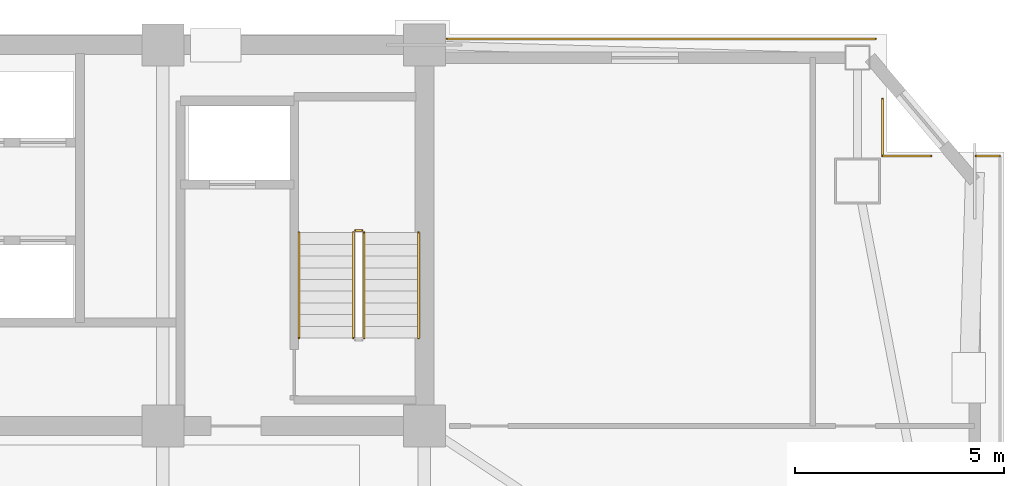
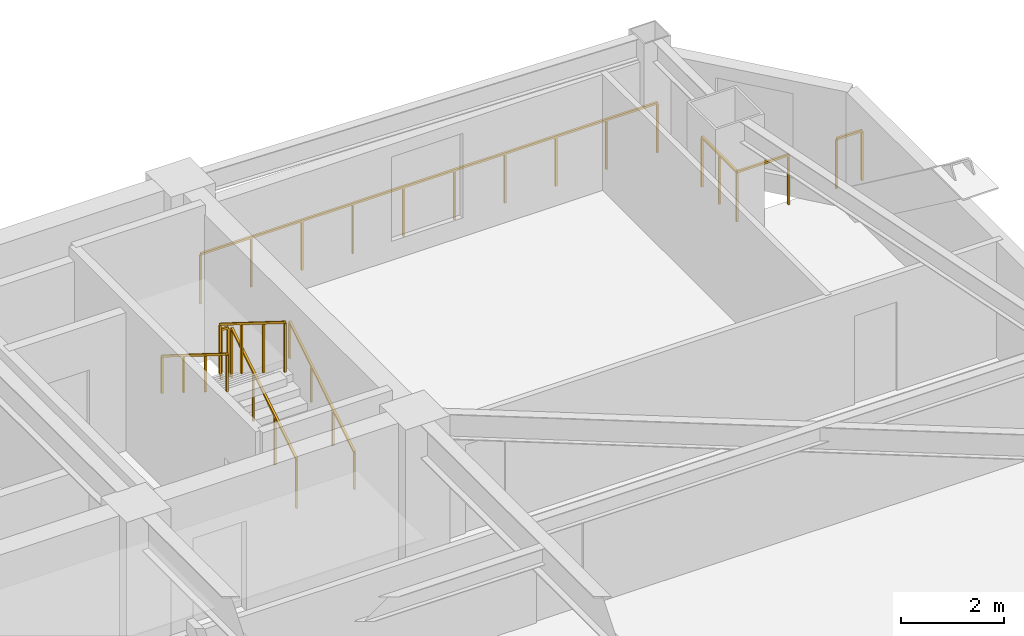
# One storey, part 17 of 17: 9 railings.
"""IFC4 building model written with IfcOpenShell, lengths in metres."""

from ifc_helpers import new_model, si_unit, direction, frame, origin, origin_2d, place, context, subcontext, project, spatial, rectangle, extrude, material, type_object, element, save


model = new_model("IFC4")

# Units and contexts
model_context = context("Model", 3, precision=1e-05, world=origin(), true_north=direction((0.0, 1.0)))
body_context = subcontext(model_context, "Body", "Model", "MODEL_VIEW")
ifc_project = project(units=[si_unit("LENGTHUNIT", "METRE"), si_unit("AREAUNIT", "SQUARE_METRE"), si_unit("VOLUMEUNIT", "CUBIC_METRE"), si_unit("PLANEANGLEUNIT", "RADIAN"), si_unit("MASSUNIT", "GRAM", prefix="KILO")], contexts=[model_context])

# Site, building, storey
site_placement = place(None, origin())
site = spatial("IfcSite", under=ifc_project, at=site_placement, CompositionType="ELEMENT")
building_placement = place(site_placement, origin())
building = spatial("IfcBuilding", under=site, at=building_placement, Name="Giltprow Tower", CompositionType="ELEMENT")
storey_placement = place(building_placement, frame((0.0, 0.0, 202.699951171875)))
storey = spatial("IfcBuildingStorey", under=building, at=storey_placement, Name="L51", CompositionType="ELEMENT", Elevation=202.699951171875)

# Railings
ifc_material = material(Name="Anodized bronze", Category="metal")
railing_type_1 = type_object("IfcRailingType", Name="RAIL-BALC-GUARD-1200", PredefinedType="BALUSTRADE", material=ifc_material)
railing_1_placement = place(storey_placement, frame((51.0849609375, 46.699951171875, 0.0)))
element("IfcRailing", 1, at=railing_1_placement, inside=storey, type_object=railing_type_1, Name="L51 Corner Apron Edge Balustrade 18", PredefinedType="BALUSTRADE", context=body_context, shape_type="SweptSolid", body=[
    extrude(rectangle(XDim=0.048095703125, YDim=0.048095703125, at=origin_2d()), frame((0.0, 0.0, 1.17578125), z_axis=(1.0, 0.0, 0.0), x_axis=(0.0, 1.0, 0.0)), (0.0, 0.0, 1.0), 10.241943359375),
    extrude(rectangle(XDim=0.0419921875, YDim=0.0419921875, at=origin_2d()), origin(), (0.0, 0.0, 1.0), 1.15185546875),
    extrude(rectangle(XDim=0.0419921875, YDim=0.0419921875, at=origin_2d()), frame((1.137939453125, 0.0, 0.0)), (0.0, 0.0, 1.0), 1.15185546875),
    extrude(rectangle(XDim=0.0419921875, YDim=0.0419921875, at=origin_2d()), frame((2.27587890625, 0.0, 0.0)), (0.0, 0.0, 1.0), 1.15185546875),
    extrude(rectangle(XDim=0.0419921875, YDim=0.0419921875, at=origin_2d()), frame((3.4140625, 0.0, 0.0)), (0.0, 0.0, 1.0), 1.15185546875),
    extrude(rectangle(XDim=0.0419921875, YDim=0.0419921875, at=origin_2d()), frame((4.552001953125, 0.0, 0.0)), (0.0, 0.0, 1.0), 1.15185546875),
    extrude(rectangle(XDim=0.0419921875, YDim=0.0419921875, at=origin_2d()), frame((5.68994140625, 0.0, 0.0)), (0.0, 0.0, 1.0), 1.15185546875),
    extrude(rectangle(XDim=0.0419921875, YDim=0.0419921875, at=origin_2d()), frame((6.827880859375, 0.0, 0.0)), (0.0, 0.0, 1.0), 1.15185546875),
    extrude(rectangle(XDim=0.0419921875, YDim=0.0419921875, at=origin_2d()), frame((7.966064453125, 0.0, 0.0)), (0.0, 0.0, 1.0), 1.15185546875),
    extrude(rectangle(XDim=0.0419921875, YDim=0.0419921875, at=origin_2d()), frame((9.10400390625, 0.0, 0.0)), (0.0, 0.0, 1.0), 1.15185546875),
    extrude(rectangle(XDim=0.0419921875, YDim=0.0419921875, at=origin_2d()), frame((10.241943359375, 0.0, 0.0)), (0.0, 0.0, 1.0), 1.15185546875),
])
railing_2_placement = place(storey_placement, frame((61.498046875, 45.261962890625, 0.0)))
element("IfcRailing", 2, at=railing_2_placement, inside=storey, type_object=railing_type_1, Name="L51 Corner Apron Edge Balustrade 19", PredefinedType="BALUSTRADE", context=body_context, shape_type="SweptSolid", body=[
    extrude(rectangle(XDim=0.048095703125, YDim=0.048095703125, at=origin_2d()), frame((0.0, 0.0, 1.17578125), z_axis=(0.0, -1.0, 0.0), x_axis=(1.0, 0.0, 0.0)), (0.0, 0.0, 1.0), 1.362060546875),
    extrude(rectangle(XDim=0.0419921875, YDim=0.0419921875, at=origin_2d()), origin(), (0.0, 0.0, 1.0), 1.15185546875),
    extrude(rectangle(XDim=0.0419921875, YDim=0.0419921875, at=origin_2d()), frame((0.0, -0.68115234375, 0.0)), (0.0, 0.0, 1.0), 1.15185546875),
    extrude(rectangle(XDim=0.0419921875, YDim=0.0419921875, at=origin_2d()), frame((0.0, -1.362060546875, 0.0)), (0.0, 0.0, 1.0), 1.15185546875),
])
railing_3_placement = place(storey_placement, frame((61.498046875, 43.89990234375, 0.0)))
element("IfcRailing", 3, at=railing_3_placement, inside=storey, type_object=railing_type_1, Name="L51 Corner Apron Edge Balustrade 20", PredefinedType="BALUSTRADE", context=body_context, shape_type="SweptSolid", body=[
    extrude(rectangle(XDim=0.048095703125, YDim=0.048095703125, at=origin_2d()), frame((0.0, 0.0, 1.17578125), z_axis=(1.0, 0.0, 0.0), x_axis=(0.0, 1.0, 0.0)), (0.0, 0.0, 1.0), 1.154052734375),
    extrude(rectangle(XDim=0.0419921875, YDim=0.0419921875, at=origin_2d()), origin(), (0.0, 0.0, 1.0), 1.15185546875),
    extrude(rectangle(XDim=0.0419921875, YDim=0.0419921875, at=origin_2d()), frame((1.154052734375, 0.0, 0.0)), (0.0, 0.0, 1.0), 1.15185546875),
])
railing_4_placement = place(storey_placement, frame((63.72705078125, 43.89990234375, 0.0)))
element("IfcRailing", 4, at=railing_4_placement, inside=storey, type_object=railing_type_1, Name="L51 Corner Apron Edge Balustrade 21", PredefinedType="BALUSTRADE", context=body_context, shape_type="SweptSolid", body=[
    extrude(rectangle(XDim=0.048095703125, YDim=0.048095703125, at=origin_2d()), frame((0.0, 0.0, 1.17578125), z_axis=(1.0, 0.0, 0.0), x_axis=(0.0, 1.0, 0.0)), (0.0, 0.0, 1.0), 0.571044921875),
    extrude(rectangle(XDim=0.0419921875, YDim=0.0419921875, at=origin_2d()), origin(), (0.0, 0.0, 1.0), 1.15185546875),
    extrude(rectangle(XDim=0.0419921875, YDim=0.0419921875, at=origin_2d()), frame((0.571044921875, 0.0, 0.0)), (0.0, 0.0, 1.0), 1.15185546875),
])
railing_type_2 = type_object("IfcRailingType", Name="RAIL-STAIR-GUARD-1200", PredefinedType="GUARDRAIL", material=ifc_material)
railing_5_placement = place(storey_placement, frame((49.110107421875, 39.550048828125, 0.175048828125)))
element("IfcRailing", 5, at=railing_5_placement, inside=storey, type_object=railing_type_2, Name="L51 ST-3 stair guard 1", PredefinedType="GUARDRAIL", context=body_context, shape_type="SweptSolid", body=[
    extrude(rectangle(XDim=0.048095703125, YDim=0.048095703125, at=origin_2d()), frame((0.0, 0.0, 1.17578125), z_axis=(0.0, 0.848007534815, 0.529984170421), x_axis=(-1.0, 0.0, 0.0)), (0.0, 0.0, 1.0), 2.9716796875),
    extrude(rectangle(XDim=0.0419921875, YDim=0.0419921875, at=origin_2d()), origin(), (0.0, 0.0, 1.0), 1.15185546875),
    extrude(rectangle(XDim=0.0419921875, YDim=0.0419921875, at=origin_2d()), frame((0.0, 0.840087890625, 0.52490234375)), (0.0, 0.0, 1.0), 1.15185546875),
    extrude(rectangle(XDim=0.0419921875, YDim=0.0419921875, at=origin_2d()), frame((0.0, 1.679931640625, 1.050048828125)), (0.0, 0.0, 1.0), 1.15185546875),
    extrude(rectangle(XDim=0.0419921875, YDim=0.0419921875, at=origin_2d()), frame((0.0, 2.52001953125, 1.574951171875)), (0.0, 0.0, 1.0), 1.15185546875),
])
railing_6_placement = place(storey_placement, frame((49.06005859375, 42.1201171875, 1.75)))
element("IfcRailing", 6, at=railing_6_placement, inside=storey, type_object=railing_type_2, Name="L51 ST-3 stair guard 2", PredefinedType="GUARDRAIL", context=body_context, shape_type="SweptSolid", body=[
    extrude(rectangle(XDim=0.048095703125, YDim=0.048095703125, at=origin_2d()), frame((0.0, 0.0, 1.17578125), z_axis=(-1.0, 0.0, 0.0), x_axis=(0.0, -1.0, 0.0)), (0.0, 0.0, 1.0), 0.16015625),
    extrude(rectangle(XDim=0.0419921875, YDim=0.0419921875, at=origin_2d()), origin(), (0.0, 0.0, 1.0), 1.15185546875),
    extrude(rectangle(XDim=0.0419921875, YDim=0.0419921875, at=origin_2d()), frame((-0.16015625, 0.0, 0.0)), (0.0, 0.0, 1.0), 1.15185546875),
])
railing_7_placement = place(storey_placement, frame((48.85009765625, 42.070068359375, 1.925048828125)))
element("IfcRailing", 7, at=railing_7_placement, inside=storey, type_object=railing_type_2, Name="L51 ST-3 stair guard 3", PredefinedType="GUARDRAIL", context=body_context, shape_type="SweptSolid", body=[
    extrude(rectangle(XDim=0.048095703125, YDim=0.048095703125, at=origin_2d()), frame((0.0, 0.0, 1.17578125), z_axis=(0.0, -0.848007534815, 0.529984170421), x_axis=(1.0, 0.0, 0.0)), (0.0, 0.0, 1.0), 2.9716796875),
    extrude(rectangle(XDim=0.0419921875, YDim=0.0419921875, at=origin_2d()), origin(), (0.0, 0.0, 1.0), 1.15185546875),
    extrude(rectangle(XDim=0.0419921875, YDim=0.0419921875, at=origin_2d()), frame((0.0, -0.840087890625, 0.52490234375)), (0.0, 0.0, 1.0), 1.15185546875),
    extrude(rectangle(XDim=0.0419921875, YDim=0.0419921875, at=origin_2d()), frame((0.0, -1.679931640625, 1.050048828125)), (0.0, 0.0, 1.0), 1.15185546875),
    extrude(rectangle(XDim=0.0419921875, YDim=0.0419921875, at=origin_2d()), frame((0.0, -2.52001953125, 1.574951171875)), (0.0, 0.0, 1.0), 1.15185546875),
])
railing_type_3 = type_object("IfcRailingType", Name="RAIL-STAIR-HAND-900", PredefinedType="HANDRAIL", material=ifc_material)
railing_8_placement = place(storey_placement, frame((50.409912109375, 39.550048828125, 0.175048828125)))
element("IfcRailing", 8, at=railing_8_placement, inside=storey, type_object=railing_type_3, Name="L51 ST-3 stair handrail 1", PredefinedType="HANDRAIL", context=body_context, shape_type="SweptSolid", body=[
    extrude(rectangle(XDim=0.048095703125, YDim=0.048095703125, at=origin_2d()), frame((0.0, 0.0, 0.8759765625), z_axis=(0.0, 0.848007534815, 0.529984170421), x_axis=(-1.0, 0.0, 0.0)), (0.0, 0.0, 1.0), 2.9716796875),
    extrude(rectangle(XDim=0.0419921875, YDim=0.0419921875, at=origin_2d()), origin(), (0.0, 0.0, 1.0), 0.851806640625),
    extrude(rectangle(XDim=0.0419921875, YDim=0.0419921875, at=origin_2d()), frame((0.0, 0.840087890625, 0.52490234375)), (0.0, 0.0, 1.0), 0.851806640625),
    extrude(rectangle(XDim=0.0419921875, YDim=0.0419921875, at=origin_2d()), frame((0.0, 1.679931640625, 1.050048828125)), (0.0, 0.0, 1.0), 0.851806640625),
    extrude(rectangle(XDim=0.0419921875, YDim=0.0419921875, at=origin_2d()), frame((0.0, 2.52001953125, 1.574951171875)), (0.0, 0.0, 1.0), 0.851806640625),
])
railing_9_placement = place(storey_placement, frame((47.550048828125, 42.070068359375, 1.925048828125)))
element("IfcRailing", 9, at=railing_9_placement, inside=storey, type_object=railing_type_3, Name="L51 ST-3 stair handrail 2", PredefinedType="HANDRAIL", context=body_context, shape_type="SweptSolid", body=[
    extrude(rectangle(XDim=0.048095703125, YDim=0.048095703125, at=origin_2d()), frame((0.0, 0.0, 0.8759765625), z_axis=(0.0, -0.848007534815, 0.529984170421), x_axis=(1.0, 0.0, 0.0)), (0.0, 0.0, 1.0), 2.9716796875),
    extrude(rectangle(XDim=0.0419921875, YDim=0.0419921875, at=origin_2d()), origin(), (0.0, 0.0, 1.0), 0.851806640625),
    extrude(rectangle(XDim=0.0419921875, YDim=0.0419921875, at=origin_2d()), frame((0.0, -0.840087890625, 0.52490234375)), (0.0, 0.0, 1.0), 0.851806640625),
    extrude(rectangle(XDim=0.0419921875, YDim=0.0419921875, at=origin_2d()), frame((0.0, -1.679931640625, 1.050048828125)), (0.0, 0.0, 1.0), 0.851806640625),
    extrude(rectangle(XDim=0.0419921875, YDim=0.0419921875, at=origin_2d()), frame((0.0, -2.52001953125, 1.574951171875)), (0.0, 0.0, 1.0), 0.851806640625),
])

save(model, "model.ifc")
